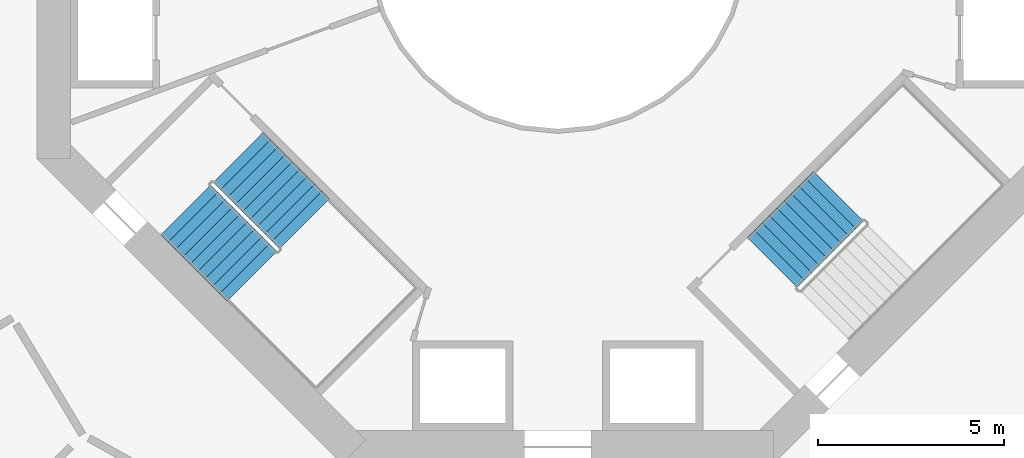
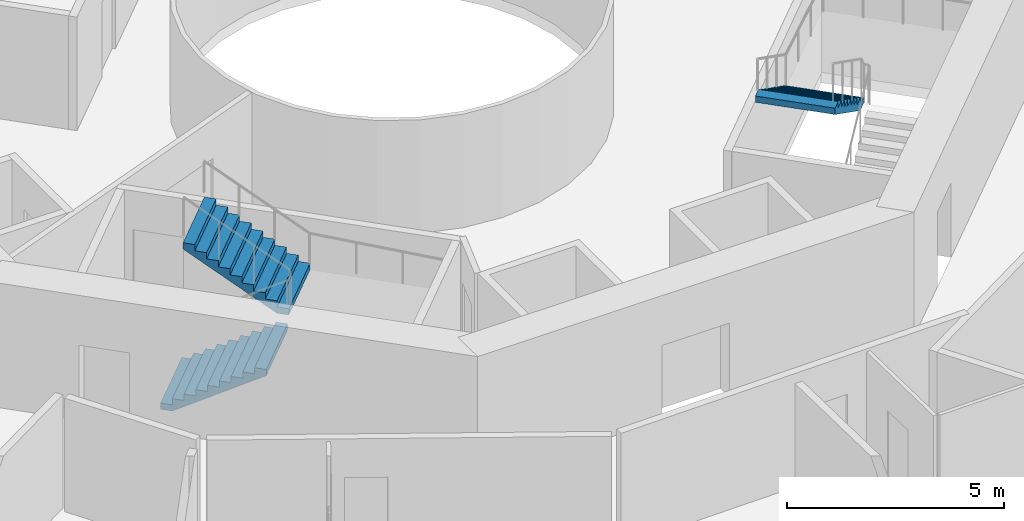
# One storey, part 23 of 25: 3 stair flights, 2 elements without a shape of their own.
"""IFC4 building model written with IfcOpenShell, lengths in metres."""

from ifc_helpers import new_model, si_unit, direction, frame, origin, place, context, subcontext, project, spatial, triangles, material, type_object, element, aggregate, save


model = new_model("IFC4")

# Units and contexts
model_context = context("Model", 3, precision=1e-05, world=origin(), true_north=direction((0.0, 1.0)))
body_context = subcontext(model_context, "Body", "Model", "MODEL_VIEW")
ifc_project = project(units=[si_unit("LENGTHUNIT", "METRE"), si_unit("AREAUNIT", "SQUARE_METRE"), si_unit("VOLUMEUNIT", "CUBIC_METRE"), si_unit("PLANEANGLEUNIT", "RADIAN"), si_unit("MASSUNIT", "GRAM", prefix="KILO")], contexts=[model_context])

# Site, building, storey
site_placement = place(None, origin())
site = spatial("IfcSite", under=ifc_project, at=site_placement, CompositionType="ELEMENT")
building_placement = place(site_placement, origin())
building = spatial("IfcBuilding", under=site, at=building_placement, Name="Verdalira Terraces Hotel", CompositionType="ELEMENT")
storey_placement = place(building_placement, frame((0.0, 0.0, 39.0)))
storey = spatial("IfcBuildingStorey", under=building, at=storey_placement, Name="L07", CompositionType="ELEMENT", Elevation=39.0)

# Stair, stair flights
ifc_material_1 = material(Name="Concrete C40", Category="concrete")
stair_type = type_object("IfcStairType", Name="Core stair 20 risers 1900 mm wide", PredefinedType="HALF_TURN_STAIR", material=ifc_material_1)
stair_1_placement = place(storey_placement, origin())
stair_1 = element("IfcStair", 1, at=stair_1_placement, inside=storey, type_object=stair_type, Name="L07 Exit stair ST2", PredefinedType="HALF_TURN_STAIR")
ifc_material_2 = material(Name="Concrete C40", Category="concrete")
stair_flight_type = type_object("IfcStairFlightType", Name="Core stair flight 20 risers 1900 mm wide", PredefinedType="STRAIGHT", material=ifc_material_2)
stair_flight_1_placement = place(storey_placement, frame((-10.005615, -7.177246, 0.0), z_axis=(0.0, 0.0, 1.0), x_axis=(0.707106781, -0.707106781, 0.0)))
stair_flight_1 = element("IfcStairFlight", 2, at=stair_flight_1_placement, type_object=stair_flight_type, Name="ST2 flight 1", NumberOfRisers=10, NumberOfTreads=9, PredefinedType="STRAIGHT", RiserHeight=0.175, TreadLength=0.28, context=body_context, shape_type="Tessellation", body=[
    triangles([(0.0, 0.949951, 0.0), (0.282715, 0.949951, 0.0), (2.52002, 0.949951, 1.398193), (0.0, -0.949951, 0.0), (0.282715, -0.949951, 0.0), (2.52002, -0.949951, 1.398193), (2.52002, 0.949951, 1.574951), (2.23999, 0.949951, 1.574951), (2.52002, -0.949951, 1.574951), (2.23999, -0.949951, 1.574951), (2.23999, 0.949951, 1.399902), (2.23999, -0.949951, 1.399902), (1.959961, 0.949951, 1.399902), (1.959961, -0.949951, 1.399902), (1.959961, 0.949951, 1.225098), (1.959961, -0.949951, 1.225098), (1.679932, 0.949951, 1.225098), (1.679932, 0.949951, 1.050049), (1.679932, -0.949951, 1.225098), (1.679932, -0.949951, 1.050049), (1.399902, 0.949951, 1.050049), (1.399902, 0.949951, 0.875), (1.399902, -0.949951, 1.050049), (1.399902, -0.949951, 0.875), (1.120117, 0.949951, 0.875), (1.120117, 0.949951, 0.699951), (1.120117, -0.949951, 0.875), (1.120117, -0.949951, 0.699951), (0.840088, 0.949951, 0.699951), (0.840088, 0.949951, 0.524902), (0.840088, -0.949951, 0.699951), (0.840088, -0.949951, 0.524902), (0.560059, 0.949951, 0.524902), (0.560059, 0.949951, 0.350098), (0.560059, -0.949951, 0.524902), (0.560059, -0.949951, 0.350098), (0.280029, 0.949951, 0.350098), (0.280029, 0.949951, 0.175049), (0.280029, -0.949951, 0.350098), (0.280029, -0.949951, 0.175049), (0.0, 0.949951, 0.175049), (0.0, -0.949951, 0.175049), (0.0, -0.890579, 0.0), (0.0, -0.890579, 0.175049), (0.0, -0.831207, 0.0), (0.0, -0.831207, 0.175049), (0.0, -0.771835, 0.0), (0.0, -0.771835, 0.175049), (0.0, -0.712463, 0.0), (0.0, -0.712463, 0.175049), (0.0, -0.653091, 0.0), (0.0, -0.653091, 0.175049), (0.0, -0.593719, 0.0), (0.0, -0.593719, 0.175049), (0.0, -0.534348, 0.0), (0.0, -0.534348, 0.175049), (0.0, -0.474976, 0.0), (0.0, -0.474976, 0.175049), (0.0, -0.415604, 0.0), (0.0, -0.415604, 0.175049), (0.0, -0.356232, 0.0), (0.0, -0.356232, 0.175049), (0.0, -0.29686, 0.0), (0.0, -0.29686, 0.175049), (0.0, -0.237488, 0.0), (0.0, -0.237488, 0.175049), (0.0, -0.178116, 0.0), (0.0, -0.178116, 0.175049), (0.0, -0.118744, 0.0), (0.0, -0.118744, 0.175049), (0.0, -0.059372, 0.0), (0.0, -0.059372, 0.175049), (0.0, 0.0, 0.0), (0.0, 0.0, 0.175049), (0.0, 0.059372, 0.0), (0.0, 0.059372, 0.175049), (0.0, 0.118744, 0.0), (0.0, 0.118744, 0.175049), (0.0, 0.178116, 0.0), (0.0, 0.178116, 0.175049), (0.0, 0.237488, 0.0), (0.0, 0.237488, 0.175049), (0.0, 0.29686, 0.0), (0.0, 0.29686, 0.175049), (0.0, 0.356232, 0.0), (0.0, 0.356232, 0.175049), (0.0, 0.415604, 0.0), (0.0, 0.415604, 0.175049), (0.0, 0.474976, 0.0), (0.0, 0.474976, 0.175049), (0.0, 0.534348, 0.0), (0.0, 0.534348, 0.175049), (0.0, 0.593719, 0.0), (0.0, 0.593719, 0.175049), (0.0, 0.653091, 0.0), (0.0, 0.653091, 0.175049), (0.0, 0.712463, 0.0), (0.0, 0.712463, 0.175049), (0.0, 0.771835, 0.0), (0.0, 0.771835, 0.175049), (0.0, 0.831207, 0.0), (0.0, 0.831207, 0.175049), (0.0, 0.890579, 0.0), (0.0, 0.890579, 0.175049), (2.52002, -0.890579, 1.574951), (2.52002, -0.831207, 1.574951), (2.52002, -0.771835, 1.574951), (2.52002, -0.712463, 1.574951), (2.52002, -0.653091, 1.574951), (2.52002, -0.593719, 1.574951), (2.52002, -0.534348, 1.574951), (2.52002, -0.474976, 1.574951), (2.52002, -0.415604, 1.574951), (2.52002, -0.356232, 1.574951), (2.52002, -0.29686, 1.574951), (2.52002, -0.237488, 1.574951), (2.52002, -0.178116, 1.574951), (2.52002, -0.118744, 1.574951), (2.52002, -0.059372, 1.574951), (2.52002, 0.0, 1.574951), (2.52002, 0.059372, 1.574951), (2.52002, 0.118744, 1.574951), (2.52002, 0.178116, 1.574951), (2.52002, 0.237488, 1.574951), (2.52002, 0.29686, 1.574951), (2.52002, 0.356232, 1.574951), (2.52002, 0.415604, 1.574951), (2.52002, 0.474976, 1.574951), (2.52002, 0.534348, 1.574951), (2.52002, 0.593719, 1.574951), (2.52002, 0.653091, 1.574951), (2.52002, 0.712463, 1.574951), (2.52002, 0.771835, 1.574951), (2.52002, 0.831207, 1.574951), (2.52002, 0.890579, 1.574951), (2.52002, -0.890579, 1.398193), (2.52002, -0.831207, 1.398193), (2.52002, -0.771835, 1.398193), (2.52002, -0.712463, 1.398193), (2.52002, -0.653091, 1.398193), (2.52002, -0.593719, 1.398193), (2.52002, -0.534348, 1.398193), (2.52002, -0.474976, 1.398193), (2.52002, -0.415604, 1.398193), (2.52002, -0.356232, 1.398193), (2.52002, -0.29686, 1.398193), (2.52002, -0.237488, 1.398193), (2.52002, -0.178116, 1.398193), (2.52002, -0.118744, 1.398193), (2.52002, -0.059372, 1.398193), (2.52002, 0.0, 1.398193), (2.52002, 0.059372, 1.398193), (2.52002, 0.118744, 1.398193), (2.52002, 0.178116, 1.398193), (2.52002, 0.237488, 1.398193), (2.52002, 0.29686, 1.398193), (2.52002, 0.356232, 1.398193), (2.52002, 0.415604, 1.398193), (2.52002, 0.474976, 1.398193), (2.52002, 0.534348, 1.398193), (2.52002, 0.593719, 1.398193), (2.52002, 0.653091, 1.398193), (2.52002, 0.712463, 1.398193), (2.52002, 0.771835, 1.398193), (2.52002, 0.831207, 1.398193), (2.52002, 0.890579, 1.398193)], [[1, 3, 2], [4, 5, 6], [3, 8, 7], [6, 9, 10], [3, 11, 8], [6, 10, 12], [3, 13, 11], [6, 12, 14], [3, 15, 13], [6, 14, 16], [15, 18, 17], [16, 19, 20], [3, 18, 15], [6, 16, 20], [18, 22, 21], [20, 23, 24], [3, 22, 18], [6, 20, 24], [22, 26, 25], [24, 27, 28], [3, 26, 22], [6, 24, 28], [26, 30, 29], [28, 31, 32], [3, 30, 26], [6, 28, 32], [1, 30, 3], [4, 6, 32], [30, 34, 33], [32, 35, 36], [34, 38, 37], [36, 39, 40], [30, 38, 34], [32, 36, 40], [1, 38, 30], [4, 32, 40], [38, 1, 41], [40, 42, 4], [4, 44, 43], [4, 42, 44], [43, 46, 45], [43, 44, 46], [45, 48, 47], [45, 46, 48], [47, 50, 49], [47, 48, 50], [49, 52, 51], [49, 50, 52], [51, 54, 53], [51, 52, 54], [53, 56, 55], [53, 54, 56], [55, 58, 57], [55, 56, 58], [57, 60, 59], [57, 58, 60], [59, 62, 61], [59, 60, 62], [61, 64, 63], [61, 62, 64], [63, 66, 65], [63, 64, 66], [65, 68, 67], [65, 66, 68], [67, 70, 69], [67, 68, 70], [69, 72, 71], [69, 70, 72], [71, 74, 73], [71, 72, 74], [73, 76, 75], [73, 74, 76], [75, 78, 77], [75, 76, 78], [77, 80, 79], [77, 78, 80], [79, 82, 81], [79, 80, 82], [81, 84, 83], [81, 82, 84], [83, 86, 85], [83, 84, 86], [85, 88, 87], [85, 86, 88], [87, 90, 89], [87, 88, 90], [89, 92, 91], [89, 90, 92], [91, 94, 93], [91, 92, 94], [93, 96, 95], [93, 94, 96], [95, 98, 97], [95, 96, 98], [97, 100, 99], [97, 98, 100], [99, 102, 101], [99, 100, 102], [101, 104, 103], [101, 102, 104], [103, 41, 1], [103, 104, 41], [42, 40, 44], [44, 40, 46], [46, 40, 48], [48, 40, 50], [50, 40, 52], [52, 40, 54], [54, 40, 56], [56, 40, 58], [58, 40, 60], [60, 40, 62], [62, 40, 64], [64, 40, 66], [66, 40, 68], [68, 40, 70], [70, 40, 72], [72, 40, 74], [74, 40, 76], [76, 40, 78], [78, 40, 80], [80, 40, 82], [82, 40, 84], [84, 40, 86], [86, 40, 88], [88, 40, 90], [90, 40, 92], [92, 40, 94], [94, 40, 96], [96, 40, 98], [98, 40, 100], [100, 40, 102], [102, 40, 104], [104, 40, 41], [41, 40, 38], [40, 37, 38], [40, 39, 37], [39, 34, 37], [39, 36, 34], [36, 33, 34], [36, 35, 33], [35, 30, 33], [35, 32, 30], [32, 29, 30], [32, 31, 29], [31, 26, 29], [31, 28, 26], [28, 25, 26], [28, 27, 25], [27, 22, 25], [27, 24, 22], [24, 21, 22], [24, 23, 21], [23, 18, 21], [23, 20, 18], [20, 17, 18], [20, 19, 17], [19, 15, 17], [19, 16, 15], [16, 13, 15], [16, 14, 13], [14, 11, 13], [14, 12, 11], [12, 8, 11], [12, 10, 8], [9, 105, 10], [105, 106, 10], [106, 107, 10], [107, 108, 10], [108, 109, 10], [109, 110, 10], [110, 111, 10], [111, 112, 10], [112, 113, 10], [113, 114, 10], [114, 115, 10], [115, 116, 10], [116, 117, 10], [117, 118, 10], [118, 119, 10], [119, 120, 10], [120, 121, 10], [121, 122, 10], [122, 123, 10], [123, 124, 10], [124, 125, 10], [125, 126, 10], [126, 127, 10], [127, 128, 10], [128, 129, 10], [129, 130, 10], [130, 131, 10], [131, 132, 10], [132, 133, 10], [133, 134, 10], [134, 135, 10], [135, 7, 10], [7, 8, 10], [9, 136, 105], [9, 6, 136], [105, 137, 106], [105, 136, 137], [106, 138, 107], [106, 137, 138], [107, 139, 108], [107, 138, 139], [108, 140, 109], [108, 139, 140], [109, 141, 110], [109, 140, 141], [110, 142, 111], [110, 141, 142], [111, 143, 112], [111, 142, 143], [112, 144, 113], [112, 143, 144], [113, 145, 114], [113, 144, 145], [114, 146, 115], [114, 145, 146], [115, 147, 116], [115, 146, 147], [116, 148, 117], [116, 147, 148], [117, 149, 118], [117, 148, 149], [118, 150, 119], [118, 149, 150], [119, 151, 120], [119, 150, 151], [120, 152, 121], [120, 151, 152], [121, 153, 122], [121, 152, 153], [122, 154, 123], [122, 153, 154], [123, 155, 124], [123, 154, 155], [124, 156, 125], [124, 155, 156], [125, 157, 126], [125, 156, 157], [126, 158, 127], [126, 157, 158], [127, 159, 128], [127, 158, 159], [128, 160, 129], [128, 159, 160], [129, 161, 130], [129, 160, 161], [130, 162, 131], [130, 161, 162], [131, 163, 132], [131, 162, 163], [132, 164, 133], [132, 163, 164], [133, 165, 134], [133, 164, 165], [134, 166, 135], [134, 165, 166], [135, 3, 7], [135, 166, 3], [6, 5, 136], [136, 5, 137], [137, 5, 138], [138, 5, 139], [139, 5, 140], [140, 5, 141], [141, 5, 142], [142, 5, 143], [143, 5, 144], [144, 5, 145], [145, 5, 146], [146, 5, 147], [147, 5, 148], [148, 5, 149], [149, 5, 150], [150, 5, 151], [151, 5, 152], [152, 5, 153], [153, 5, 154], [154, 5, 155], [155, 5, 156], [156, 5, 157], [157, 5, 158], [158, 5, 159], [159, 5, 160], [160, 5, 161], [161, 5, 162], [162, 5, 163], [163, 5, 164], [164, 5, 165], [165, 5, 166], [166, 5, 3], [3, 5, 2], [4, 43, 5], [43, 45, 5], [45, 47, 5], [47, 49, 5], [49, 51, 5], [51, 53, 5], [53, 55, 5], [55, 57, 5], [57, 59, 5], [59, 61, 5], [61, 63, 5], [63, 65, 5], [65, 67, 5], [67, 69, 5], [69, 71, 5], [71, 73, 5], [73, 75, 5], [75, 77, 5], [77, 79, 5], [79, 81, 5], [81, 83, 5], [83, 85, 5], [85, 87, 5], [87, 89, 5], [89, 91, 5], [91, 93, 5], [93, 95, 5], [95, 97, 5], [97, 99, 5], [99, 101, 5], [101, 103, 5], [103, 1, 5], [1, 2, 5]], closed=True),
])
stair_flight_2_placement = place(storey_placement, frame((-6.809326, -7.544922, 1.75), z_axis=(0.0, 0.0, 1.0), x_axis=(-0.707106781, 0.707106781, 0.0)))
stair_flight_2 = element("IfcStairFlight", 3, at=stair_flight_2_placement, type_object=stair_flight_type, Name="ST2 flight 2", NumberOfRisers=10, NumberOfTreads=9, PredefinedType="STRAIGHT", RiserHeight=0.175, TreadLength=0.28, context=body_context, shape_type="Tessellation", body=[
    triangles([(0.0, 0.949951, 0.0), (0.282715, 0.949951, 0.0), (2.52002, 0.949951, 1.398193), (0.0, -0.949951, 0.0), (0.282715, -0.949951, 0.0), (2.52002, -0.949951, 1.398193), (2.52002, 0.949951, 1.574951), (2.23999, 0.949951, 1.574951), (2.52002, -0.949951, 1.574951), (2.23999, -0.949951, 1.574951), (2.23999, 0.949951, 1.399902), (2.23999, -0.949951, 1.399902), (1.959961, 0.949951, 1.399902), (1.959961, -0.949951, 1.399902), (1.959961, 0.949951, 1.225098), (1.959961, -0.949951, 1.225098), (1.679932, 0.949951, 1.225098), (1.679932, 0.949951, 1.050049), (1.679932, -0.949951, 1.225098), (1.679932, -0.949951, 1.050049), (1.399902, 0.949951, 1.050049), (1.399902, 0.949951, 0.875), (1.399902, -0.949951, 1.050049), (1.399902, -0.949951, 0.875), (1.120117, 0.949951, 0.875), (1.120117, 0.949951, 0.699951), (1.120117, -0.949951, 0.875), (1.120117, -0.949951, 0.699951), (0.840088, 0.949951, 0.699951), (0.840088, 0.949951, 0.524902), (0.840088, -0.949951, 0.699951), (0.840088, -0.949951, 0.524902), (0.560059, 0.949951, 0.524902), (0.560059, 0.949951, 0.350098), (0.560059, -0.949951, 0.524902), (0.560059, -0.949951, 0.350098), (0.280029, 0.949951, 0.350098), (0.280029, 0.949951, 0.175049), (0.280029, -0.949951, 0.350098), (0.280029, -0.949951, 0.175049), (0.0, 0.949951, 0.175049), (0.0, -0.949951, 0.175049), (0.0, -0.890579, 0.0), (0.0, -0.890579, 0.175049), (0.0, -0.831207, 0.0), (0.0, -0.831207, 0.175049), (0.0, -0.771835, 0.0), (0.0, -0.771835, 0.175049), (0.0, -0.712463, 0.0), (0.0, -0.712463, 0.175049), (0.0, -0.653091, 0.0), (0.0, -0.653091, 0.175049), (0.0, -0.593719, 0.0), (0.0, -0.593719, 0.175049), (0.0, -0.534348, 0.0), (0.0, -0.534348, 0.175049), (0.0, -0.474976, 0.0), (0.0, -0.474976, 0.175049), (0.0, -0.415604, 0.0), (0.0, -0.415604, 0.175049), (0.0, -0.356232, 0.0), (0.0, -0.356232, 0.175049), (0.0, -0.29686, 0.0), (0.0, -0.29686, 0.175049), (0.0, -0.237488, 0.0), (0.0, -0.237488, 0.175049), (0.0, -0.178116, 0.0), (0.0, -0.178116, 0.175049), (0.0, -0.118744, 0.0), (0.0, -0.118744, 0.175049), (0.0, -0.059372, 0.0), (0.0, -0.059372, 0.175049), (0.0, 0.0, 0.0), (0.0, 0.0, 0.175049), (0.0, 0.059372, 0.0), (0.0, 0.059372, 0.175049), (0.0, 0.118744, 0.0), (0.0, 0.118744, 0.175049), (0.0, 0.178116, 0.0), (0.0, 0.178116, 0.175049), (0.0, 0.237488, 0.0), (0.0, 0.237488, 0.175049), (0.0, 0.29686, 0.0), (0.0, 0.29686, 0.175049), (0.0, 0.356232, 0.0), (0.0, 0.356232, 0.175049), (0.0, 0.415604, 0.0), (0.0, 0.415604, 0.175049), (0.0, 0.474976, 0.0), (0.0, 0.474976, 0.175049), (0.0, 0.534348, 0.0), (0.0, 0.534348, 0.175049), (0.0, 0.593719, 0.0), (0.0, 0.593719, 0.175049), (0.0, 0.653091, 0.0), (0.0, 0.653091, 0.175049), (0.0, 0.712463, 0.0), (0.0, 0.712463, 0.175049), (0.0, 0.771835, 0.0), (0.0, 0.771835, 0.175049), (0.0, 0.831207, 0.0), (0.0, 0.831207, 0.175049), (0.0, 0.890579, 0.0), (0.0, 0.890579, 0.175049), (2.52002, -0.890579, 1.574951), (2.52002, -0.831207, 1.574951), (2.52002, -0.771835, 1.574951), (2.52002, -0.712463, 1.574951), (2.52002, -0.653091, 1.574951), (2.52002, -0.593719, 1.574951), (2.52002, -0.534348, 1.574951), (2.52002, -0.474976, 1.574951), (2.52002, -0.415604, 1.574951), (2.52002, -0.356232, 1.574951), (2.52002, -0.29686, 1.574951), (2.52002, -0.237488, 1.574951), (2.52002, -0.178116, 1.574951), (2.52002, -0.118744, 1.574951), (2.52002, -0.059372, 1.574951), (2.52002, 0.0, 1.574951), (2.52002, 0.059372, 1.574951), (2.52002, 0.118744, 1.574951), (2.52002, 0.178116, 1.574951), (2.52002, 0.237488, 1.574951), (2.52002, 0.29686, 1.574951), (2.52002, 0.356232, 1.574951), (2.52002, 0.415604, 1.574951), (2.52002, 0.474976, 1.574951), (2.52002, 0.534348, 1.574951), (2.52002, 0.593719, 1.574951), (2.52002, 0.653091, 1.574951), (2.52002, 0.712463, 1.574951), (2.52002, 0.771835, 1.574951), (2.52002, 0.831207, 1.574951), (2.52002, 0.890579, 1.574951), (2.52002, -0.890579, 1.398193), (2.52002, -0.831207, 1.398193), (2.52002, -0.771835, 1.398193), (2.52002, -0.712463, 1.398193), (2.52002, -0.653091, 1.398193), (2.52002, -0.593719, 1.398193), (2.52002, -0.534348, 1.398193), (2.52002, -0.474976, 1.398193), (2.52002, -0.415604, 1.398193), (2.52002, -0.356232, 1.398193), (2.52002, -0.29686, 1.398193), (2.52002, -0.237488, 1.398193), (2.52002, -0.178116, 1.398193), (2.52002, -0.118744, 1.398193), (2.52002, -0.059372, 1.398193), (2.52002, 0.0, 1.398193), (2.52002, 0.059372, 1.398193), (2.52002, 0.118744, 1.398193), (2.52002, 0.178116, 1.398193), (2.52002, 0.237488, 1.398193), (2.52002, 0.29686, 1.398193), (2.52002, 0.356232, 1.398193), (2.52002, 0.415604, 1.398193), (2.52002, 0.474976, 1.398193), (2.52002, 0.534348, 1.398193), (2.52002, 0.593719, 1.398193), (2.52002, 0.653091, 1.398193), (2.52002, 0.712463, 1.398193), (2.52002, 0.771835, 1.398193), (2.52002, 0.831207, 1.398193), (2.52002, 0.890579, 1.398193)], [[1, 3, 2], [4, 5, 6], [3, 8, 7], [6, 9, 10], [3, 11, 8], [6, 10, 12], [3, 13, 11], [6, 12, 14], [3, 15, 13], [6, 14, 16], [15, 18, 17], [16, 19, 20], [3, 18, 15], [6, 16, 20], [18, 22, 21], [20, 23, 24], [3, 22, 18], [6, 20, 24], [22, 26, 25], [24, 27, 28], [3, 26, 22], [6, 24, 28], [26, 30, 29], [28, 31, 32], [3, 30, 26], [6, 28, 32], [1, 30, 3], [4, 6, 32], [30, 34, 33], [32, 35, 36], [34, 38, 37], [36, 39, 40], [30, 38, 34], [32, 36, 40], [1, 38, 30], [4, 32, 40], [38, 1, 41], [40, 42, 4], [4, 44, 43], [4, 42, 44], [43, 46, 45], [43, 44, 46], [45, 48, 47], [45, 46, 48], [47, 50, 49], [47, 48, 50], [49, 52, 51], [49, 50, 52], [51, 54, 53], [51, 52, 54], [53, 56, 55], [53, 54, 56], [55, 58, 57], [55, 56, 58], [57, 60, 59], [57, 58, 60], [59, 62, 61], [59, 60, 62], [61, 64, 63], [61, 62, 64], [63, 66, 65], [63, 64, 66], [65, 68, 67], [65, 66, 68], [67, 70, 69], [67, 68, 70], [69, 72, 71], [69, 70, 72], [71, 74, 73], [71, 72, 74], [73, 76, 75], [73, 74, 76], [75, 78, 77], [75, 76, 78], [77, 80, 79], [77, 78, 80], [79, 82, 81], [79, 80, 82], [81, 84, 83], [81, 82, 84], [83, 86, 85], [83, 84, 86], [85, 88, 87], [85, 86, 88], [87, 90, 89], [87, 88, 90], [89, 92, 91], [89, 90, 92], [91, 94, 93], [91, 92, 94], [93, 96, 95], [93, 94, 96], [95, 98, 97], [95, 96, 98], [97, 100, 99], [97, 98, 100], [99, 102, 101], [99, 100, 102], [101, 104, 103], [101, 102, 104], [103, 41, 1], [103, 104, 41], [42, 40, 44], [44, 40, 46], [46, 40, 48], [48, 40, 50], [50, 40, 52], [52, 40, 54], [54, 40, 56], [56, 40, 58], [58, 40, 60], [60, 40, 62], [62, 40, 64], [64, 40, 66], [66, 40, 68], [68, 40, 70], [70, 40, 72], [72, 40, 74], [74, 40, 76], [76, 40, 78], [78, 40, 80], [80, 40, 82], [82, 40, 84], [84, 40, 86], [86, 40, 88], [88, 40, 90], [90, 40, 92], [92, 40, 94], [94, 40, 96], [96, 40, 98], [98, 40, 100], [100, 40, 102], [102, 40, 104], [104, 40, 41], [41, 40, 38], [40, 37, 38], [40, 39, 37], [39, 34, 37], [39, 36, 34], [36, 33, 34], [36, 35, 33], [35, 30, 33], [35, 32, 30], [32, 29, 30], [32, 31, 29], [31, 26, 29], [31, 28, 26], [28, 25, 26], [28, 27, 25], [27, 22, 25], [27, 24, 22], [24, 21, 22], [24, 23, 21], [23, 18, 21], [23, 20, 18], [20, 17, 18], [20, 19, 17], [19, 15, 17], [19, 16, 15], [16, 13, 15], [16, 14, 13], [14, 11, 13], [14, 12, 11], [12, 8, 11], [12, 10, 8], [9, 105, 10], [105, 106, 10], [106, 107, 10], [107, 108, 10], [108, 109, 10], [109, 110, 10], [110, 111, 10], [111, 112, 10], [112, 113, 10], [113, 114, 10], [114, 115, 10], [115, 116, 10], [116, 117, 10], [117, 118, 10], [118, 119, 10], [119, 120, 10], [120, 121, 10], [121, 122, 10], [122, 123, 10], [123, 124, 10], [124, 125, 10], [125, 126, 10], [126, 127, 10], [127, 128, 10], [128, 129, 10], [129, 130, 10], [130, 131, 10], [131, 132, 10], [132, 133, 10], [133, 134, 10], [134, 135, 10], [135, 7, 10], [7, 8, 10], [9, 136, 105], [9, 6, 136], [105, 137, 106], [105, 136, 137], [106, 138, 107], [106, 137, 138], [107, 139, 108], [107, 138, 139], [108, 140, 109], [108, 139, 140], [109, 141, 110], [109, 140, 141], [110, 142, 111], [110, 141, 142], [111, 143, 112], [111, 142, 143], [112, 144, 113], [112, 143, 144], [113, 145, 114], [113, 144, 145], [114, 146, 115], [114, 145, 146], [115, 147, 116], [115, 146, 147], [116, 148, 117], [116, 147, 148], [117, 149, 118], [117, 148, 149], [118, 150, 119], [118, 149, 150], [119, 151, 120], [119, 150, 151], [120, 152, 121], [120, 151, 152], [121, 153, 122], [121, 152, 153], [122, 154, 123], [122, 153, 154], [123, 155, 124], [123, 154, 155], [124, 156, 125], [124, 155, 156], [125, 157, 126], [125, 156, 157], [126, 158, 127], [126, 157, 158], [127, 159, 128], [127, 158, 159], [128, 160, 129], [128, 159, 160], [129, 161, 130], [129, 160, 161], [130, 162, 131], [130, 161, 162], [131, 163, 132], [131, 162, 163], [132, 164, 133], [132, 163, 164], [133, 165, 134], [133, 164, 165], [134, 166, 135], [134, 165, 166], [135, 3, 7], [135, 166, 3], [6, 5, 136], [136, 5, 137], [137, 5, 138], [138, 5, 139], [139, 5, 140], [140, 5, 141], [141, 5, 142], [142, 5, 143], [143, 5, 144], [144, 5, 145], [145, 5, 146], [146, 5, 147], [147, 5, 148], [148, 5, 149], [149, 5, 150], [150, 5, 151], [151, 5, 152], [152, 5, 153], [153, 5, 154], [154, 5, 155], [155, 5, 156], [156, 5, 157], [157, 5, 158], [158, 5, 159], [159, 5, 160], [160, 5, 161], [161, 5, 162], [162, 5, 163], [163, 5, 164], [164, 5, 165], [165, 5, 166], [166, 5, 3], [3, 5, 2], [4, 43, 5], [43, 45, 5], [45, 47, 5], [47, 49, 5], [49, 51, 5], [51, 53, 5], [53, 55, 5], [55, 57, 5], [57, 59, 5], [59, 61, 5], [61, 63, 5], [63, 65, 5], [65, 67, 5], [67, 69, 5], [69, 71, 5], [71, 73, 5], [73, 75, 5], [75, 77, 5], [77, 79, 5], [79, 81, 5], [81, 83, 5], [83, 85, 5], [85, 87, 5], [87, 89, 5], [89, 91, 5], [91, 93, 5], [93, 95, 5], [95, 97, 5], [97, 99, 5], [99, 101, 5], [101, 103, 5], [103, 1, 5], [1, 2, 5]], closed=True),
])
aggregate(stair_1, [stair_flight_1, stair_flight_2])

# Stair, stair flight
stair_2_placement = place(storey_placement, origin())
stair_2 = element("IfcStair", 4, at=stair_2_placement, inside=storey, type_object=stair_type, Name="L07 Exit stair ST3", PredefinedType="HALF_TURN_STAIR")
stair_flight_3_placement = place(storey_placement, frame((7.544922, -6.809326, 1.75), z_axis=(0.0, 0.0, 1.0), x_axis=(-0.707106781, -0.707106781, 0.0)))
stair_flight_3 = element("IfcStairFlight", 5, at=stair_flight_3_placement, type_object=stair_flight_type, Name="ST3 flight 2", NumberOfRisers=10, NumberOfTreads=9, PredefinedType="STRAIGHT", RiserHeight=0.175, TreadLength=0.28, context=body_context, shape_type="Tessellation", body=[
    triangles([(0.0, 0.949951, 0.0), (0.282715, 0.949951, 0.0), (2.52002, 0.949951, 1.398193), (0.0, -0.949951, 0.0), (0.282715, -0.949951, 0.0), (2.52002, -0.949951, 1.398193), (2.52002, 0.949951, 1.574951), (2.23999, 0.949951, 1.574951), (2.52002, -0.949951, 1.574951), (2.23999, -0.949951, 1.574951), (2.23999, 0.949951, 1.399902), (2.23999, -0.949951, 1.399902), (1.959961, 0.949951, 1.399902), (1.959961, -0.949951, 1.399902), (1.959961, 0.949951, 1.225098), (1.959961, -0.949951, 1.225098), (1.679932, 0.949951, 1.225098), (1.679932, 0.949951, 1.050049), (1.679932, -0.949951, 1.225098), (1.679932, -0.949951, 1.050049), (1.399902, 0.949951, 1.050049), (1.399902, 0.949951, 0.875), (1.399902, -0.949951, 1.050049), (1.399902, -0.949951, 0.875), (1.120117, 0.949951, 0.875), (1.120117, 0.949951, 0.699951), (1.120117, -0.949951, 0.875), (1.120117, -0.949951, 0.699951), (0.840088, 0.949951, 0.699951), (0.840088, 0.949951, 0.524902), (0.840088, -0.949951, 0.699951), (0.840088, -0.949951, 0.524902), (0.560059, 0.949951, 0.524902), (0.560059, 0.949951, 0.350098), (0.560059, -0.949951, 0.524902), (0.560059, -0.949951, 0.350098), (0.280029, 0.949951, 0.350098), (0.280029, 0.949951, 0.175049), (0.280029, -0.949951, 0.350098), (0.280029, -0.949951, 0.175049), (0.0, 0.949951, 0.175049), (0.0, -0.949951, 0.175049), (0.0, -0.890579, 0.0), (0.0, -0.890579, 0.175049), (0.0, -0.831207, 0.0), (0.0, -0.831207, 0.175049), (0.0, -0.771835, 0.0), (0.0, -0.771835, 0.175049), (0.0, -0.712463, 0.0), (0.0, -0.712463, 0.175049), (0.0, -0.653091, 0.0), (0.0, -0.653091, 0.175049), (0.0, -0.593719, 0.0), (0.0, -0.593719, 0.175049), (0.0, -0.534348, 0.0), (0.0, -0.534348, 0.175049), (0.0, -0.474976, 0.0), (0.0, -0.474976, 0.175049), (0.0, -0.415604, 0.0), (0.0, -0.415604, 0.175049), (0.0, -0.356232, 0.0), (0.0, -0.356232, 0.175049), (0.0, -0.29686, 0.0), (0.0, -0.29686, 0.175049), (0.0, -0.237488, 0.0), (0.0, -0.237488, 0.175049), (0.0, -0.178116, 0.0), (0.0, -0.178116, 0.175049), (0.0, -0.118744, 0.0), (0.0, -0.118744, 0.175049), (0.0, -0.059372, 0.0), (0.0, -0.059372, 0.175049), (0.0, 0.0, 0.0), (0.0, 0.0, 0.175049), (0.0, 0.059372, 0.0), (0.0, 0.059372, 0.175049), (0.0, 0.118744, 0.0), (0.0, 0.118744, 0.175049), (0.0, 0.178116, 0.0), (0.0, 0.178116, 0.175049), (0.0, 0.237488, 0.0), (0.0, 0.237488, 0.175049), (0.0, 0.29686, 0.0), (0.0, 0.29686, 0.175049), (0.0, 0.356232, 0.0), (0.0, 0.356232, 0.175049), (0.0, 0.415604, 0.0), (0.0, 0.415604, 0.175049), (0.0, 0.474976, 0.0), (0.0, 0.474976, 0.175049), (0.0, 0.534348, 0.0), (0.0, 0.534348, 0.175049), (0.0, 0.593719, 0.0), (0.0, 0.593719, 0.175049), (0.0, 0.653091, 0.0), (0.0, 0.653091, 0.175049), (0.0, 0.712463, 0.0), (0.0, 0.712463, 0.175049), (0.0, 0.771835, 0.0), (0.0, 0.771835, 0.175049), (0.0, 0.831207, 0.0), (0.0, 0.831207, 0.175049), (0.0, 0.890579, 0.0), (0.0, 0.890579, 0.175049), (2.52002, -0.890579, 1.574951), (2.52002, -0.831207, 1.574951), (2.52002, -0.771835, 1.574951), (2.52002, -0.712463, 1.574951), (2.52002, -0.653091, 1.574951), (2.52002, -0.593719, 1.574951), (2.52002, -0.534348, 1.574951), (2.52002, -0.474976, 1.574951), (2.52002, -0.415604, 1.574951), (2.52002, -0.356232, 1.574951), (2.52002, -0.29686, 1.574951), (2.52002, -0.237488, 1.574951), (2.52002, -0.178116, 1.574951), (2.52002, -0.118744, 1.574951), (2.52002, -0.059372, 1.574951), (2.52002, 0.0, 1.574951), (2.52002, 0.059372, 1.574951), (2.52002, 0.118744, 1.574951), (2.52002, 0.178116, 1.574951), (2.52002, 0.237488, 1.574951), (2.52002, 0.29686, 1.574951), (2.52002, 0.356232, 1.574951), (2.52002, 0.415604, 1.574951), (2.52002, 0.474976, 1.574951), (2.52002, 0.534348, 1.574951), (2.52002, 0.593719, 1.574951), (2.52002, 0.653091, 1.574951), (2.52002, 0.712463, 1.574951), (2.52002, 0.771835, 1.574951), (2.52002, 0.831207, 1.574951), (2.52002, 0.890579, 1.574951), (2.52002, -0.890579, 1.398193), (2.52002, -0.831207, 1.398193), (2.52002, -0.771835, 1.398193), (2.52002, -0.712463, 1.398193), (2.52002, -0.653091, 1.398193), (2.52002, -0.593719, 1.398193), (2.52002, -0.534348, 1.398193), (2.52002, -0.474976, 1.398193), (2.52002, -0.415604, 1.398193), (2.52002, -0.356232, 1.398193), (2.52002, -0.29686, 1.398193), (2.52002, -0.237488, 1.398193), (2.52002, -0.178116, 1.398193), (2.52002, -0.118744, 1.398193), (2.52002, -0.059372, 1.398193), (2.52002, 0.0, 1.398193), (2.52002, 0.059372, 1.398193), (2.52002, 0.118744, 1.398193), (2.52002, 0.178116, 1.398193), (2.52002, 0.237488, 1.398193), (2.52002, 0.29686, 1.398193), (2.52002, 0.356232, 1.398193), (2.52002, 0.415604, 1.398193), (2.52002, 0.474976, 1.398193), (2.52002, 0.534348, 1.398193), (2.52002, 0.593719, 1.398193), (2.52002, 0.653091, 1.398193), (2.52002, 0.712463, 1.398193), (2.52002, 0.771835, 1.398193), (2.52002, 0.831207, 1.398193), (2.52002, 0.890579, 1.398193)], [[1, 3, 2], [4, 5, 6], [3, 8, 7], [6, 9, 10], [3, 11, 8], [6, 10, 12], [3, 13, 11], [6, 12, 14], [3, 15, 13], [6, 14, 16], [15, 18, 17], [16, 19, 20], [3, 18, 15], [6, 16, 20], [18, 22, 21], [20, 23, 24], [3, 22, 18], [6, 20, 24], [22, 26, 25], [24, 27, 28], [3, 26, 22], [6, 24, 28], [26, 30, 29], [28, 31, 32], [3, 30, 26], [6, 28, 32], [1, 30, 3], [4, 6, 32], [30, 34, 33], [32, 35, 36], [34, 38, 37], [36, 39, 40], [30, 38, 34], [32, 36, 40], [1, 38, 30], [4, 32, 40], [38, 1, 41], [40, 42, 4], [4, 44, 43], [4, 42, 44], [43, 46, 45], [43, 44, 46], [45, 48, 47], [45, 46, 48], [47, 50, 49], [47, 48, 50], [49, 52, 51], [49, 50, 52], [51, 54, 53], [51, 52, 54], [53, 56, 55], [53, 54, 56], [55, 58, 57], [55, 56, 58], [57, 60, 59], [57, 58, 60], [59, 62, 61], [59, 60, 62], [61, 64, 63], [61, 62, 64], [63, 66, 65], [63, 64, 66], [65, 68, 67], [65, 66, 68], [67, 70, 69], [67, 68, 70], [69, 72, 71], [69, 70, 72], [71, 74, 73], [71, 72, 74], [73, 76, 75], [73, 74, 76], [75, 78, 77], [75, 76, 78], [77, 80, 79], [77, 78, 80], [79, 82, 81], [79, 80, 82], [81, 84, 83], [81, 82, 84], [83, 86, 85], [83, 84, 86], [85, 88, 87], [85, 86, 88], [87, 90, 89], [87, 88, 90], [89, 92, 91], [89, 90, 92], [91, 94, 93], [91, 92, 94], [93, 96, 95], [93, 94, 96], [95, 98, 97], [95, 96, 98], [97, 100, 99], [97, 98, 100], [99, 102, 101], [99, 100, 102], [101, 104, 103], [101, 102, 104], [103, 41, 1], [103, 104, 41], [42, 40, 44], [44, 40, 46], [46, 40, 48], [48, 40, 50], [50, 40, 52], [52, 40, 54], [54, 40, 56], [56, 40, 58], [58, 40, 60], [60, 40, 62], [62, 40, 64], [64, 40, 66], [66, 40, 68], [68, 40, 70], [70, 40, 72], [72, 40, 74], [74, 40, 76], [76, 40, 78], [78, 40, 80], [80, 40, 82], [82, 40, 84], [84, 40, 86], [86, 40, 88], [88, 40, 90], [90, 40, 92], [92, 40, 94], [94, 40, 96], [96, 40, 98], [98, 40, 100], [100, 40, 102], [102, 40, 104], [104, 40, 41], [41, 40, 38], [40, 37, 38], [40, 39, 37], [39, 34, 37], [39, 36, 34], [36, 33, 34], [36, 35, 33], [35, 30, 33], [35, 32, 30], [32, 29, 30], [32, 31, 29], [31, 26, 29], [31, 28, 26], [28, 25, 26], [28, 27, 25], [27, 22, 25], [27, 24, 22], [24, 21, 22], [24, 23, 21], [23, 18, 21], [23, 20, 18], [20, 17, 18], [20, 19, 17], [19, 15, 17], [19, 16, 15], [16, 13, 15], [16, 14, 13], [14, 11, 13], [14, 12, 11], [12, 8, 11], [12, 10, 8], [9, 105, 10], [105, 106, 10], [106, 107, 10], [107, 108, 10], [108, 109, 10], [109, 110, 10], [110, 111, 10], [111, 112, 10], [112, 113, 10], [113, 114, 10], [114, 115, 10], [115, 116, 10], [116, 117, 10], [117, 118, 10], [118, 119, 10], [119, 120, 10], [120, 121, 10], [121, 122, 10], [122, 123, 10], [123, 124, 10], [124, 125, 10], [125, 126, 10], [126, 127, 10], [127, 128, 10], [128, 129, 10], [129, 130, 10], [130, 131, 10], [131, 132, 10], [132, 133, 10], [133, 134, 10], [134, 135, 10], [135, 7, 10], [7, 8, 10], [9, 136, 105], [9, 6, 136], [105, 137, 106], [105, 136, 137], [106, 138, 107], [106, 137, 138], [107, 139, 108], [107, 138, 139], [108, 140, 109], [108, 139, 140], [109, 141, 110], [109, 140, 141], [110, 142, 111], [110, 141, 142], [111, 143, 112], [111, 142, 143], [112, 144, 113], [112, 143, 144], [113, 145, 114], [113, 144, 145], [114, 146, 115], [114, 145, 146], [115, 147, 116], [115, 146, 147], [116, 148, 117], [116, 147, 148], [117, 149, 118], [117, 148, 149], [118, 150, 119], [118, 149, 150], [119, 151, 120], [119, 150, 151], [120, 152, 121], [120, 151, 152], [121, 153, 122], [121, 152, 153], [122, 154, 123], [122, 153, 154], [123, 155, 124], [123, 154, 155], [124, 156, 125], [124, 155, 156], [125, 157, 126], [125, 156, 157], [126, 158, 127], [126, 157, 158], [127, 159, 128], [127, 158, 159], [128, 160, 129], [128, 159, 160], [129, 161, 130], [129, 160, 161], [130, 162, 131], [130, 161, 162], [131, 163, 132], [131, 162, 163], [132, 164, 133], [132, 163, 164], [133, 165, 134], [133, 164, 165], [134, 166, 135], [134, 165, 166], [135, 3, 7], [135, 166, 3], [6, 5, 136], [136, 5, 137], [137, 5, 138], [138, 5, 139], [139, 5, 140], [140, 5, 141], [141, 5, 142], [142, 5, 143], [143, 5, 144], [144, 5, 145], [145, 5, 146], [146, 5, 147], [147, 5, 148], [148, 5, 149], [149, 5, 150], [150, 5, 151], [151, 5, 152], [152, 5, 153], [153, 5, 154], [154, 5, 155], [155, 5, 156], [156, 5, 157], [157, 5, 158], [158, 5, 159], [159, 5, 160], [160, 5, 161], [161, 5, 162], [162, 5, 163], [163, 5, 164], [164, 5, 165], [165, 5, 166], [166, 5, 3], [3, 5, 2], [4, 43, 5], [43, 45, 5], [45, 47, 5], [47, 49, 5], [49, 51, 5], [51, 53, 5], [53, 55, 5], [55, 57, 5], [57, 59, 5], [59, 61, 5], [61, 63, 5], [63, 65, 5], [65, 67, 5], [67, 69, 5], [69, 71, 5], [71, 73, 5], [73, 75, 5], [75, 77, 5], [77, 79, 5], [79, 81, 5], [81, 83, 5], [83, 85, 5], [85, 87, 5], [87, 89, 5], [89, 91, 5], [91, 93, 5], [93, 95, 5], [95, 97, 5], [97, 99, 5], [99, 101, 5], [101, 103, 5], [103, 1, 5], [1, 2, 5]], closed=True),
])
aggregate(stair_2, [stair_flight_3])

save(model, "model.ifc")
